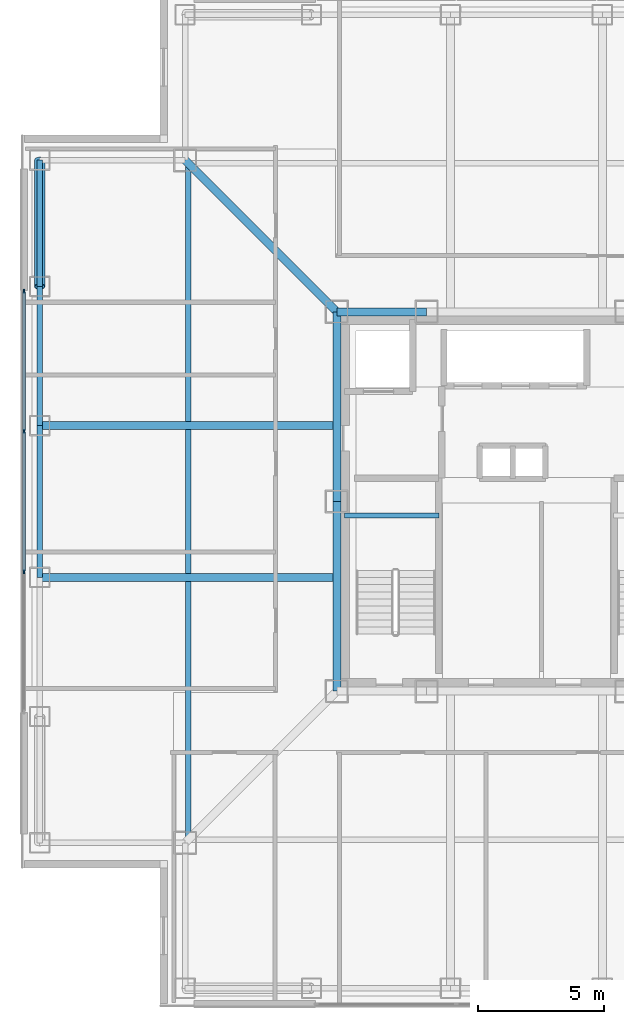
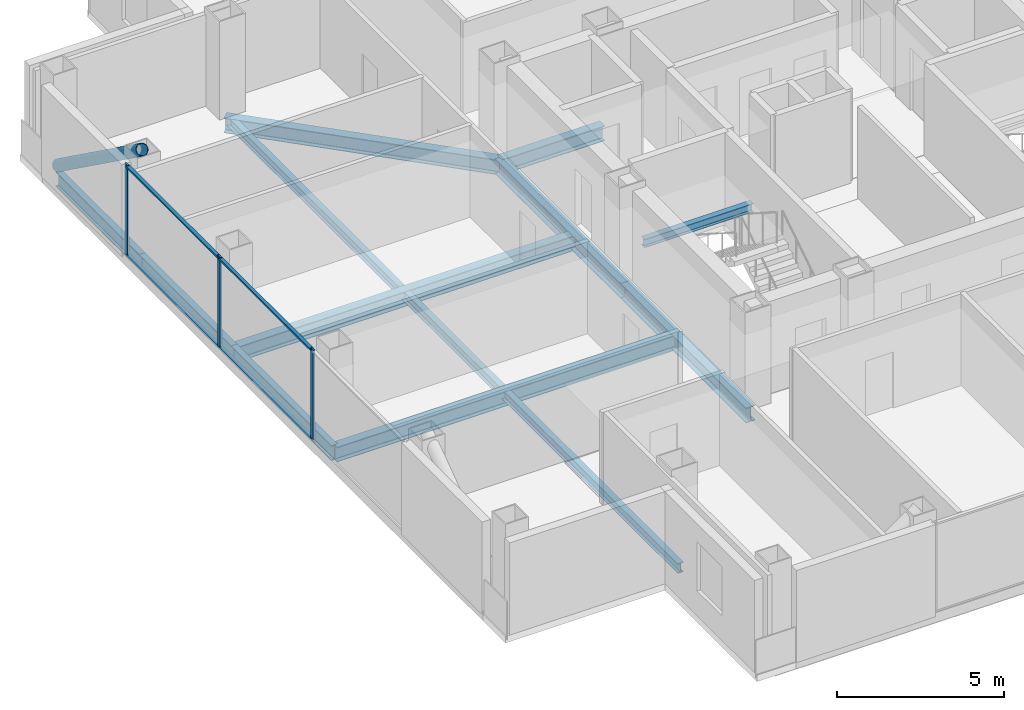
# One storey, part 4 of 17: 11 beams, 8 members, 1 element without a shape of its own.
"""IFC4 building model written with IfcOpenShell, lengths in metres."""

from ifc_helpers import new_model, si_unit, direction, frame, origin, origin_2d, place, context, subcontext, project, spatial, rectangle, hollow_circle, i_section, extrude, material, layer, layer_set, material_profile, profile_set, type_object, element, aggregate, save


model = new_model("IFC4")

# Units and contexts
model_context = context("Model", 3, precision=1e-05, world=origin(), true_north=direction((0.0, 1.0)))
body_context = subcontext(model_context, "Body", "Model", "MODEL_VIEW")
ifc_project = project(units=[si_unit("LENGTHUNIT", "METRE"), si_unit("AREAUNIT", "SQUARE_METRE"), si_unit("VOLUMEUNIT", "CUBIC_METRE"), si_unit("PLANEANGLEUNIT", "RADIAN"), si_unit("MASSUNIT", "GRAM", prefix="KILO")], contexts=[model_context])

# Site, building, storey
site_placement = place(None, origin())
site = spatial("IfcSite", under=ifc_project, at=site_placement, CompositionType="ELEMENT")
building_placement = place(site_placement, origin())
building = spatial("IfcBuilding", under=site, at=building_placement, Name="Trevonay Congress Spire", CompositionType="ELEMENT")
storey_placement = place(building_placement, frame((0.0, 0.0, 213.0)))
storey = spatial("IfcBuildingStorey", under=building, at=storey_placement, Name="L55", CompositionType="ELEMENT", Elevation=213.0)

# Beams
ifc_material_1 = material(Name="Steel ASTM A572 Grade 50", Category="steel")
ifc_material_profile_1 = material_profile(ifc_material_1, i_section(OverallWidth=0.31201171875, OverallDepth=0.54296875, WebThickness=0.0126953125, FlangeThickness=0.020263671875, FilletRadius=0.014892578125, at=origin_2d()), Name="W530x150")
ifc_profile_set_1 = profile_set([ifc_material_profile_1], Name="Steel ASTM A572 Grade 50")
beam_type_1 = type_object("IfcBeamType", Name="BM-GIRD-W530X150", PredefinedType="BEAM", material=ifc_profile_set_1)
beam_1_placement = place(storey_placement, frame((-7.5, 7.5, -0.511474609375), z_axis=(1.0, 0.0, 0.0), x_axis=(0.0, 1.0, 0.0)))
element("IfcBeam", 1, at=beam_1_placement, inside=storey, type_object=beam_type_1, Name="L55 structural beam BM-L55-CR-N1", PredefinedType="BEAM", context=body_context, shape_type="SweptSolid", body=[
    extrude(i_section(OverallWidth=0.31201171875, OverallDepth=0.54296875, WebThickness=0.0126953125, FlangeThickness=0.020263671875, FilletRadius=0.014892578125, at=origin_2d()), origin(), (0.0, 0.0, 1.0), 3.550048828125),
])
for number, where, z_axis, x_axis, name in (
    (2, (-7.5, -7.5, -0.511474609375), (0.0, 1.0, 0.0), (-1.0, 0.0, 0.0), "L55 structural beam BM-L55-CR-W1"),
    (3, (-7.5, 0.0, -0.511474609375), (0.0, 1.0, 0.0), (-1.0, 0.0, 0.0), "L55 structural beam BM-L55-CR-W2"),
):
    element("IfcBeam", number, at=place(storey_placement, frame(where, z_axis=z_axis, x_axis=x_axis)), inside=storey, type_object=beam_type_1, Name=name, PredefinedType="BEAM", context=body_context, shape_type="SweptSolid", body=[
        extrude(i_section(OverallWidth=0.31201171875, OverallDepth=0.54296875, WebThickness=0.0126953125, FlangeThickness=0.020263671875, FilletRadius=0.014892578125, at=origin_2d()), origin(), (0.0, 0.0, 1.0), 7.5),
    ])
beam_2_placement = place(storey_placement, frame((-7.5, 7.5, -0.511474609375), z_axis=(-0.707106781187, 0.707106781187, 0.0), x_axis=(-0.707106781187, -0.707106781187, 0.0)))
element("IfcBeam", 4, at=beam_2_placement, inside=storey, type_object=beam_type_1, Name="L55 structural beam BM-L55-CDNW", PredefinedType="BEAM", context=body_context, shape_type="SweptSolid", body=[
    extrude(i_section(OverallWidth=0.31201171875, OverallDepth=0.54296875, WebThickness=0.0126953125, FlangeThickness=0.020263671875, FilletRadius=0.014892578125, at=origin_2d()), origin(), (0.0, 0.0, 1.0), 8.4853515625),
])
for number, where, z_axis, x_axis, name in (
    (5, (-7.5, -3.0, -0.511474609375), (-1.0, 0.0, 0.0), (0.0, -1.0, 0.0), "L55 structural beam BM-L55-GW-M"),
    (6, (-7.5, 3.0, -0.511474609375), (-1.0, 0.0, 0.0), (0.0, -1.0, 0.0), "L55 structural beam BM-L55-GW-P"),
):
    element("IfcBeam", number, at=place(storey_placement, frame(where, z_axis=z_axis, x_axis=x_axis)), inside=storey, type_object=beam_type_1, Name=name, PredefinedType="BEAM", context=body_context, shape_type="SweptSolid", body=[
        extrude(i_section(OverallWidth=0.31201171875, OverallDepth=0.54296875, WebThickness=0.0126953125, FlangeThickness=0.020263671875, FilletRadius=0.014892578125, at=origin_2d()), origin(), (0.0, 0.0, 1.0), 11.75),
    ])
ifc_material_profile_2 = material_profile(ifc_material_1, i_section(OverallWidth=0.2119140625, OverallDepth=0.5439453125, WebThickness=0.01318359375, FlangeThickness=0.021240234375, FilletRadius=0.014892578125, at=origin_2d()), Name="W530x123")
ifc_profile_set_2 = profile_set([ifc_material_profile_2], Name="Steel ASTM A572 Grade 50")
beam_type_2 = type_object("IfcBeamType", Name="BM-RING-W530X123", PredefinedType="BEAM", material=ifc_profile_set_2)
beam_3_placement = place(storey_placement, frame((-19.25, -3.0, -0.511962890625), z_axis=(0.0, 1.0, 0.0), x_axis=(-1.0, 0.0, 0.0)))
element("IfcBeam", 7, at=beam_3_placement, inside=storey, type_object=beam_type_2, Name="L55 structural beam BM-L55-PW3", PredefinedType="BEAM", context=body_context, shape_type="SweptSolid", body=[
    extrude(i_section(OverallWidth=0.2119140625, OverallDepth=0.5439453125, WebThickness=0.01318359375, FlangeThickness=0.021240234375, FilletRadius=0.014892578125, at=origin_2d()), origin(), (0.0, 0.0, 1.0), 6.0),
])
beam_4_placement = place(storey_placement, frame((-19.25, 3.0, -0.511962890625), z_axis=(0.0, 1.0, 0.0), x_axis=(-1.0, 0.0, 0.0)))
element("IfcBeam", 8, at=beam_4_placement, inside=storey, type_object=beam_type_2, Name="L55 structural beam BM-L55-PW4", PredefinedType="BEAM", context=body_context, shape_type="SweptSolid", body=[
    extrude(i_section(OverallWidth=0.2119140625, OverallDepth=0.5439453125, WebThickness=0.01318359375, FlangeThickness=0.021240234375, FilletRadius=0.014892578125, at=origin_2d()), origin(), (0.0, 0.0, 1.0), 5.5),
])
beam_5_placement = place(storey_placement, frame((-19.25, 8.5, -0.511962890625), z_axis=(0.0, 1.0, 0.0), x_axis=(-1.0, 0.0, 0.0)))
element("IfcBeam", 9, at=beam_5_placement, inside=storey, type_object=beam_type_2, Name="L55 structural beam BM-L55-PW5", PredefinedType="BEAM", context=body_context, shape_type="SweptSolid", body=[
    extrude(i_section(OverallWidth=0.2119140625, OverallDepth=0.5439453125, WebThickness=0.01318359375, FlangeThickness=0.021240234375, FilletRadius=0.014892578125, at=origin_2d()), origin(), (0.0, 0.0, 1.0), 5.0),
])

# Curtain wall, members
ifc_material_2 = material(Name="Pale Anodised Aluminium EN AW-6063-T6", Category="aluminium")
ifc_layer = layer(ifc_material_2, 0.169921875, Name="Pale Anodised Aluminium EN AW-6063-T6")
ifc_layer_set = layer_set([ifc_layer], Name="Pale Anodised Aluminium EN AW-6063-T6")
curtain_wall_type = type_object("IfcCurtainWallType", Name="CW-SYS04-CORP-PALE-METAL", PredefinedType="NOTDEFINED", material=ifc_layer_set)
curtain_wall_placement = place(storey_placement, origin())
curtain_wall = element("IfcCurtainWall", 10, at=curtain_wall_placement, inside=storey, type_object=curtain_wall_type, Name="L55 W unitised curtain wall", PredefinedType="NOTDEFINED")
ifc_material_profile_3 = material_profile(ifc_material_2, rectangle(XDim=0.06005859375, YDim=0.159912109375, at=origin_2d()), Name="CW-MULLION-160-ALUMINIUM")
ifc_profile_set_3 = profile_set([ifc_material_profile_3], Name="Pale Anodised Aluminium EN AW-6063-T6")
member_type_1 = type_object("IfcMemberType", Name="CW-MULLION-160-ALUMINIUM", PredefinedType="MULLION", material=ifc_profile_set_3)
member_1_placement = place(storey_placement, frame((-19.8798828125, -2.783447265625, 0.0), z_axis=(0.0, 0.0, 1.0), x_axis=(-1.0, 0.0, 0.0)))
member_1 = element("IfcMember", 11, at=member_1_placement, type_object=member_type_1, Name="CW04 mullion 2", PredefinedType="MULLION", context=body_context, shape_type="SweptSolid", body=[
    extrude(rectangle(XDim=0.06005859375, YDim=0.159912109375, at=origin_2d()), origin(), (0.0, 0.0, 1.0), 3.360107421875),
])
member_2_placement = place(storey_placement, frame((-19.8798828125, 2.783447265625, 0.0), z_axis=(0.0, 0.0, 1.0), x_axis=(-1.0, 0.0, 0.0)))
member_2 = element("IfcMember", 12, at=member_2_placement, type_object=member_type_1, Name="CW04 mullion 3", PredefinedType="MULLION", context=body_context, shape_type="SweptSolid", body=[
    extrude(rectangle(XDim=0.06005859375, YDim=0.159912109375, at=origin_2d()), origin(), (0.0, 0.0, 1.0), 3.360107421875),
])
member_3_placement = place(storey_placement, frame((-19.8798828125, 8.320068359375, 0.0), z_axis=(0.0, 0.0, 1.0), x_axis=(-1.0, 0.0, 0.0)))
member_3 = element("IfcMember", 13, at=member_3_placement, type_object=member_type_1, Name="CW04 mullion 4", PredefinedType="MULLION", context=body_context, shape_type="SweptSolid", body=[
    extrude(rectangle(XDim=0.06005859375, YDim=0.159912109375, at=origin_2d()), origin(), (0.0, 0.0, 1.0), 3.360107421875),
])
ifc_material_profile_4 = material_profile(ifc_material_2, rectangle(XDim=0.1201171875, YDim=0.06005859375, at=origin_2d()), Name="CW-TRANSOM-120-ALUMINIUM")
ifc_profile_set_4 = profile_set([ifc_material_profile_4], Name="Pale Anodised Aluminium EN AW-6063-T6")
member_type_2 = type_object("IfcMemberType", Name="CW-TRANSOM-120-ALUMINIUM", PredefinedType="USERDEFINED", material=ifc_profile_set_4)
member_4_placement = place(storey_placement, frame((-19.8798828125, -2.75341796875, 0.06005859375), z_axis=(0.0, 1.0, 0.0), x_axis=(-1.0, 0.0, 0.0)))
member_4 = element("IfcMember", 14, at=member_4_placement, type_object=member_type_2, Name="CW04 transom 2.1", ObjectType="TRANSOM", PredefinedType="USERDEFINED", context=body_context, shape_type="SweptSolid", body=[
    extrude(rectangle(XDim=0.1201171875, YDim=0.06005859375, at=origin_2d()), origin(), (0.0, 0.0, 1.0), 5.5068359375),
])
member_5_placement = place(storey_placement, frame((-19.8798828125, -2.75341796875, 3.300048828125), z_axis=(0.0, 1.0, 0.0), x_axis=(-1.0, 0.0, 0.0)))
member_5 = element("IfcMember", 15, at=member_5_placement, type_object=member_type_2, Name="CW04 transom 2.2", ObjectType="TRANSOM", PredefinedType="USERDEFINED", context=body_context, shape_type="SweptSolid", body=[
    extrude(rectangle(XDim=0.1201171875, YDim=0.06005859375, at=origin_2d()), origin(), (0.0, 0.0, 1.0), 5.5068359375),
])
member_6_placement = place(storey_placement, frame((-19.8798828125, 2.813232421875, 0.06005859375), z_axis=(0.0, 1.0, 0.0), x_axis=(-1.0, 0.0, 0.0)))
member_6 = element("IfcMember", 16, at=member_6_placement, type_object=member_type_2, Name="CW04 transom 3.1", ObjectType="TRANSOM", PredefinedType="USERDEFINED", context=body_context, shape_type="SweptSolid", body=[
    extrude(rectangle(XDim=0.1201171875, YDim=0.06005859375, at=origin_2d()), origin(), (0.0, 0.0, 1.0), 5.476806640625),
])
member_7_placement = place(storey_placement, frame((-19.8798828125, 2.813232421875, 3.300048828125), z_axis=(0.0, 1.0, 0.0), x_axis=(-1.0, 0.0, 0.0)))
member_7 = element("IfcMember", 17, at=member_7_placement, type_object=member_type_2, Name="CW04 transom 3.2", ObjectType="TRANSOM", PredefinedType="USERDEFINED", context=body_context, shape_type="SweptSolid", body=[
    extrude(rectangle(XDim=0.1201171875, YDim=0.06005859375, at=origin_2d()), origin(), (0.0, 0.0, 1.0), 5.476806640625),
])
aggregate(curtain_wall, [member_1, member_2, member_3, member_4, member_5, member_6, member_7])

# Beams
ifc_material_profile_5 = material_profile(ifc_material_1, i_section(OverallWidth=0.205078125, OverallDepth=0.35400390625, WebThickness=0.009521484375, FlangeThickness=0.016845703125, FilletRadius=0.011962890625, at=origin_2d()), Name="W360x79")
ifc_profile_set_5 = profile_set([ifc_material_profile_5], Name="Steel ASTM A572 Grade 50")
beam_type_3 = type_object("IfcBeamType", Name="JS-COMP-W360X79", PredefinedType="JOIST", material=ifc_profile_set_5)
beam_6_placement = place(storey_placement, frame((-13.375, -13.5, -0.4169921875), z_axis=(0.0, 1.0, 0.0), x_axis=(-1.0, 0.0, 0.0)))
element("IfcBeam", 18, at=beam_6_placement, inside=storey, type_object=beam_type_3, Name="L55 structural beam JS-L55-RING-W", PredefinedType="JOIST", context=body_context, shape_type="SweptSolid", body=[
    extrude(i_section(OverallWidth=0.205078125, OverallDepth=0.35400390625, WebThickness=0.009521484375, FlangeThickness=0.016845703125, FilletRadius=0.011962890625, at=origin_2d()), origin(), (0.0, 0.0, 1.0), 27.0),
])
ifc_material_profile_6 = material_profile(ifc_material_1, i_section(OverallWidth=0.2041015625, OverallDepth=0.305908203125, WebThickness=0.008544921875, FlangeThickness=0.0146484375, FilletRadius=0.010986328125, at=origin_2d()), Name="W310x67")
ifc_profile_set_6 = profile_set([ifc_material_profile_6], Name="Steel ASTM A572 Grade 50")
beam_type_4 = type_object("IfcBeamType", Name="LN-CORE-W310X67", PredefinedType="LINTEL", material=ifc_profile_set_6)
beam_7_placement = place(storey_placement, frame((-7.199951171875, -0.550048828125, 1.447021484375), z_axis=(1.0, 0.0, 0.0), x_axis=(0.0, 1.0, 0.0)))
element("IfcBeam", 19, at=beam_7_placement, inside=storey, type_object=beam_type_4, Name="L55 structural beam BM-L55-HL-ST1", PredefinedType="LINTEL", context=body_context, shape_type="SweptSolid", body=[
    extrude(i_section(OverallWidth=0.2041015625, OverallDepth=0.305908203125, WebThickness=0.008544921875, FlangeThickness=0.0146484375, FilletRadius=0.010986328125, at=origin_2d()), origin(), (0.0, 0.0, 1.0), 3.75),
])

# Member
ifc_material_3 = material(Name="Steel ASTM A500 Grade C", Category="steel")
ifc_material_profile_7 = material_profile(ifc_material_3, hollow_circle(Radius=0.203125, WallThickness=0.02001953125, at=origin_2d()), Name="CHS 406.4x20")
ifc_profile_set_7 = profile_set([ifc_material_profile_7], Name="Steel ASTM A500 Grade C")
member_type_3 = type_object("IfcMemberType", Name="MBR-TUBE-CHS406", PredefinedType="BRACE", material=ifc_profile_set_7)
member_8_placement = place(storey_placement, frame((-19.25, 13.5, -0.050048828125), z_axis=(0.0, -0.811526825515, 0.584315164504), x_axis=(1.0, 0.0, 0.0)))
element("IfcMember", 20, at=member_8_placement, inside=storey, type_object=member_type_3, Name="L55 perimeter braced-tube diagonal W4", PredefinedType="BRACE", context=body_context, shape_type="SweptSolid", body=[
    extrude(hollow_circle(Radius=0.203125, WallThickness=0.02001953125, at=origin_2d()), origin(), (0.0, 0.0, 1.0), 6.1611328125),
])

save(model, "model.ifc")
